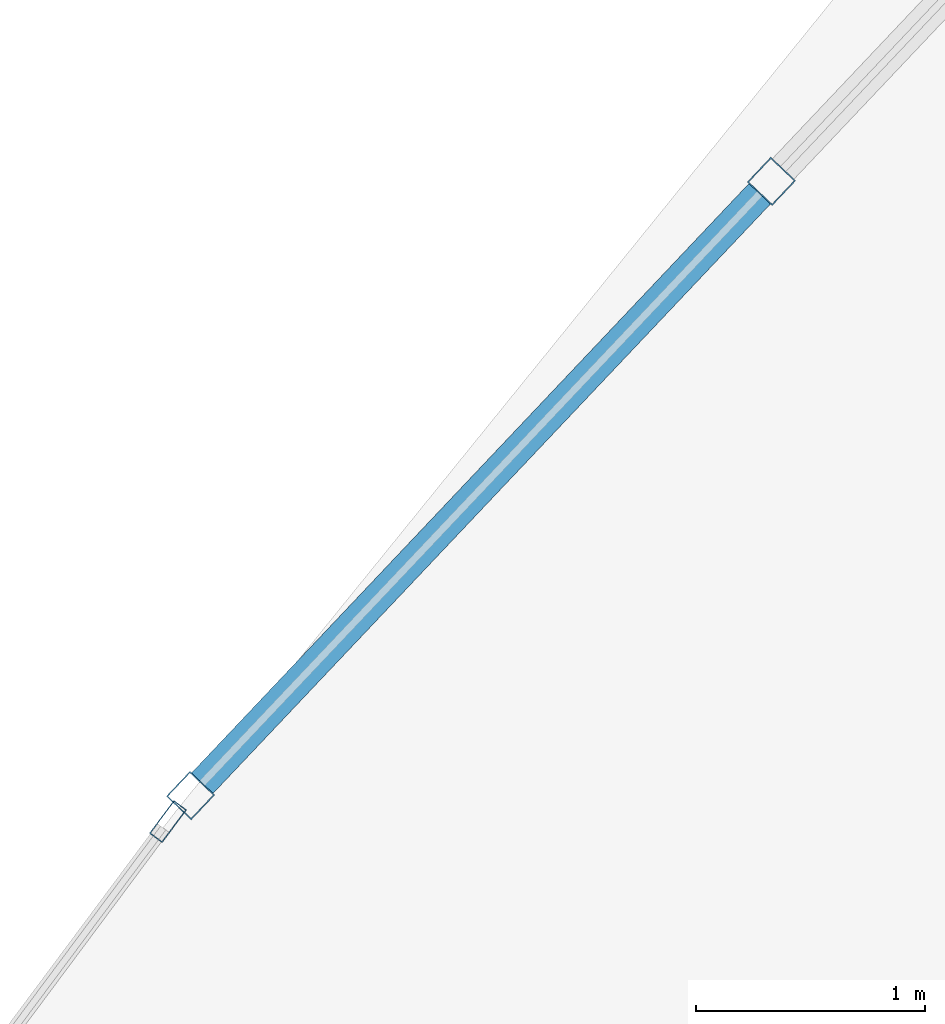
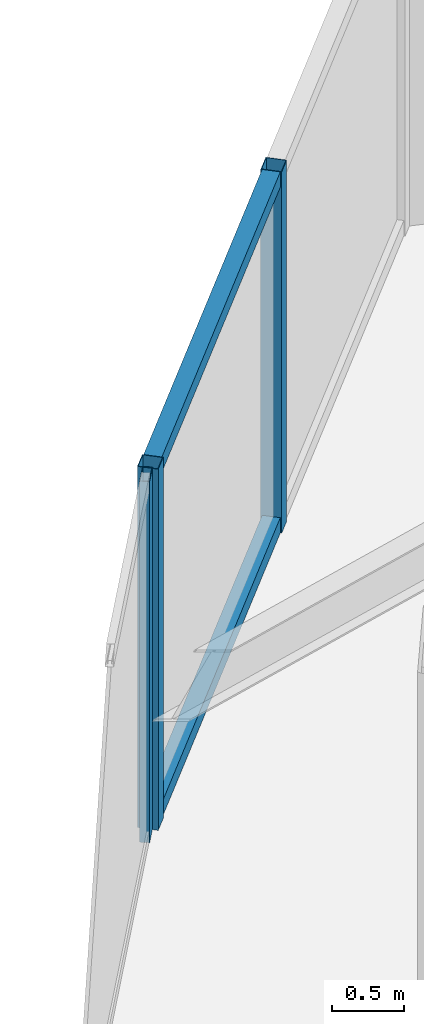
# One storey, part 19 of 31: 5 members, 2 elements without a shape of their own.
"""IFC4 building model written with IfcOpenShell, lengths in metres."""

import ifcopenshell
import ifcopenshell.guid

model = None  # the IFC model being written
_history = None  # IfcOwnerHistory: only IFC2X3 demands one
_inside = {}  # id of a spatial element -> (the spatial element, [elements in it])
_under = {}  # id of a project, library or spatial element -> (it, [spatial elements below it])
_declared = {}  # id of a project -> (the project, [libraries it declares])
_typed = {}  # id of a type object -> (the type object, [elements of that type])
_made_of = {}  # id of a material, layer set ... -> (it, [elements and type objects made of it])


def new_model(schema):
    """Start an empty IFC model of exactly this schema.

    Asked for "IFC4X3", IfcOpenShell would pick the latest addendum, in which some entities
    have other attributes; the version numbers below select the first issue.
    IFC2X3 requires an IfcOwnerHistory on every rooted entity: one is made here for all.
    """
    global model, _history
    if schema == "IFC4X3":
        model = ifcopenshell.file(schema_version=(4, 3, 0, 0))
    else:
        model = ifcopenshell.file(schema=schema)
    _inside.clear()
    _under.clear()
    _declared.clear()
    _typed.clear()
    _made_of.clear()
    _history = None
    if model.schema == "IFC2X3":
        org = make("IfcOrganization", Name="unknown")
        user = make(
            "IfcPersonAndOrganization",
            ThePerson=make("IfcPerson", FamilyName="unknown"),
            TheOrganization=org,
        )
        app = make(
            "IfcApplication",
            ApplicationDeveloper=org,
            Version="unknown",
            ApplicationFullName="unknown",
            ApplicationIdentifier="unknown",
        )
        _history = make(
            "IfcOwnerHistory",
            OwningUser=user,
            OwningApplication=app,
            ChangeAction="ADDED",
            CreationDate=0,
        )
    return model


def make(cls, **values):
    """One entity of the class cls with the attributes given. An attribute that is None is left unset."""
    return model.create_entity(
        cls, **{name: value for name, value in values.items() if value is not None}
    )


def rooted(cls, **values):
    """An entity with a GlobalId (a new one), such as an element, a storey or a relation."""
    return make(cls, GlobalId=ifcopenshell.guid.new(), OwnerHistory=_history, **values)


def si_unit(unit_type, name, prefix=None):
    """IfcSIUnit, for example si_unit("LENGTHUNIT", "METRE", prefix="MILLI")."""
    return make("IfcSIUnit", UnitType=unit_type, Prefix=prefix, Name=name)


def assignment(units):
    """IfcUnitAssignment: the units of a project."""
    return None if units is None else make("IfcUnitAssignment", Units=units)


def point(xyz):
    """IfcCartesianPoint."""
    return None if xyz is None else make("IfcCartesianPoint", Coordinates=xyz)


def direction(xyz):
    """IfcDirection."""
    return None if xyz is None else make("IfcDirection", DirectionRatios=xyz)


def frame(location, z_axis=None, x_axis=None):
    """IfcAxis2Placement3D, a coordinate frame: its origin and axes. An axis left out is left unset."""
    return make(
        "IfcAxis2Placement3D",
        Location=point(location),
        Axis=direction(z_axis),
        RefDirection=direction(x_axis),
    )


def frame_2d(location, x_axis=None):
    """IfcAxis2Placement2D, a coordinate frame in the plane: its origin and x axis."""
    return make(
        "IfcAxis2Placement2D", Location=point(location), RefDirection=direction(x_axis)
    )


def origin():
    """The frame at (0, 0, 0) with its axes left unset."""
    return frame((0.0, 0.0, 0.0))


def origin_2d():
    """The frame at (0, 0) in the plane with its x axis left unset."""
    return frame_2d((0.0, 0.0))


def place(relative_to, where):
    """IfcLocalPlacement: puts the frame where relative to a parent placement (None: the world)."""
    return make(
        "IfcLocalPlacement", PlacementRelTo=relative_to, RelativePlacement=where
    )


def context(
    kind, dimensions, precision=None, world=None, true_north=None, identifier=None
):
    """IfcGeometricRepresentationContext, for example the 3D "Model" context."""
    return make(
        "IfcGeometricRepresentationContext",
        ContextIdentifier=identifier,
        ContextType=kind,
        CoordinateSpaceDimension=dimensions,
        Precision=precision,
        WorldCoordinateSystem=world,
        TrueNorth=true_north,
    )


def subcontext(parent, identifier, kind, view, scale=None):
    """IfcGeometricRepresentationSubContext, for example "Body" below "Model"."""
    return make(
        "IfcGeometricRepresentationSubContext",
        ContextIdentifier=identifier,
        ContextType=kind,
        ParentContext=parent,
        TargetScale=scale,
        TargetView=view,
    )


def project(units=None, contexts=None):
    """IfcProject with its units and contexts."""
    return rooted(
        "IfcProject",
        Name="project",
        RepresentationContexts=contexts,
        UnitsInContext=assignment(units),
    )


def spatial(cls, under=None, at=None, **own):
    """A site, building, storey or space (cls), placed at a placement, below another one or the project."""
    s = rooted(cls, ObjectPlacement=at, **own)
    if under is not None:
        _under.setdefault(under.id(), (under, []))[1].append(s)
    return s


def profile(cls, at=None, kind="AREA", **sizes):
    """A parametric profile (cls). Its sizes go by their IFC names, for example OverallWidth=200.0."""
    return make(cls, ProfileType=kind, Position=at, **sizes)


def hollow_rectangle(**sizes):
    """IfcRectangleHollowProfileDef."""
    return profile("IfcRectangleHollowProfileDef", **sizes)


def extrude(swept, where, along, depth):
    """IfcExtrudedAreaSolid: the profile swept, set in the frame where, extruded along a direction by depth."""
    return make(
        "IfcExtrudedAreaSolid",
        SweptArea=swept,
        Position=where,
        ExtrudedDirection=direction(along),
        Depth=depth,
    )


def shape(context_of_items, identifier, shape_type, items):
    """IfcShapeRepresentation: the items that make up one representation, for example the "Body"."""
    return make(
        "IfcShapeRepresentation",
        ContextOfItems=context_of_items,
        RepresentationIdentifier=identifier,
        RepresentationType=shape_type,
        Items=items,
    )


def material(Name=None, Category=None):
    """IfcMaterial."""
    return make("IfcMaterial", Name=Name, Category=Category)


def layer(
    of_material, thickness, ventilated=None, Name=None, Category=None, Priority=None
):
    """IfcMaterialLayer: one layer of a wall or slab, of a material (None: an air gap)."""
    return make(
        "IfcMaterialLayer",
        Material=of_material,
        LayerThickness=thickness,
        IsVentilated=ventilated,
        Name=Name,
        Category=Category,
        Priority=Priority,
    )


def layer_set(layers, Name=None):
    """IfcMaterialLayerSet."""
    return make("IfcMaterialLayerSet", MaterialLayers=layers, LayerSetName=Name)


def material_profile(
    of_material, cross_section, Name=None, Category=None, Priority=None
):
    """IfcMaterialProfile: a cross section and its material."""
    return make(
        "IfcMaterialProfile",
        Name=Name,
        Material=of_material,
        Profile=cross_section,
        Priority=Priority,
        Category=Category,
    )


def profile_set(profiles, Name=None, composite=None):
    """IfcMaterialProfileSet."""
    return make(
        "IfcMaterialProfileSet",
        Name=Name,
        MaterialProfiles=profiles,
        CompositeProfile=composite,
    )


def made_of(thing, what):
    """Note that an element or type object is made of a material, layer set ...; save() writes the relation."""
    if what is not None:
        _made_of.setdefault(what.id(), (what, []))[1].append(thing)
    return thing


def type_object(cls, material=None, **own):
    """A type object (cls), such as IfcWallType, which elements share."""
    return made_of(rooted(cls, **own), material)


def element(
    cls,
    number,
    at=None,
    inside=None,
    cuts=None,
    type_object=None,
    material=None,
    context=None,
    identifier="Body",
    shape_type=None,
    held_by="IfcProductDefinitionShape",
    body=None,
    shapes=None,
    **own,
):
    """One element of the class cls, such as IfcWall. Its Tag is "e" and its number.

    at: its placement. inside: the storey or other place that contains it. cuts: it is an
    opening in that element (IfcRelVoidsElement). A single representation is given by context,
    identifier, shape_type and body (its items); several are given by shapes. held_by: the class
    of the entity that holds the representations. save() writes the other relations.
    """
    e = rooted(cls, Tag="e%d" % number, ObjectPlacement=at, **own)
    if body is not None:
        shapes = [shape(context, identifier, shape_type, body)]
    if shapes is not None:
        e.Representation = make(held_by, Representations=shapes)
    if inside is not None:
        _inside.setdefault(inside.id(), (inside, []))[1].append(e)
    if cuts is not None:
        rooted(
            "IfcRelVoidsElement", RelatingBuildingElement=cuts, RelatedOpeningElement=e
        )
    if type_object is not None:
        _typed.setdefault(type_object.id(), (type_object, []))[1].append(e)
    return made_of(e, material)


def aggregate(whole, parts):
    """IfcRelAggregates: a whole, such as a stair, and the parts it consists of."""
    return rooted("IfcRelAggregates", RelatingObject=whole, RelatedObjects=parts)


def save(model, path):
    """Write the relations noted so far, then the file.

    IfcRelAggregates (storeys below a building ...), IfcRelContainedInSpatialStructure (elements
    in a storey), IfcRelDefinesByType, IfcRelAssociatesMaterial and IfcRelDeclares: one each for
    every whole, place, type object, material and project.
    """
    for whole, parts in _under.values():
        aggregate(whole, parts)
    for where, things in _inside.values():
        rooted(
            "IfcRelContainedInSpatialStructure",
            RelatedElements=things,
            RelatingStructure=where,
        )
    for kind, things in _typed.values():
        rooted("IfcRelDefinesByType", RelatedObjects=things, RelatingType=kind)
    for what, things in _made_of.values():
        rooted("IfcRelAssociatesMaterial", RelatedObjects=things, RelatingMaterial=what)
    for by, libraries in _declared.values():
        rooted("IfcRelDeclares", RelatingContext=by, RelatedDefinitions=libraries)
    model.write(path)


model = new_model("IFC4")

# Units and contexts
model_context = context("Model", 3, precision=1e-05, world=origin(), true_north=direction((0.0, 1.0)))
body_context = subcontext(model_context, "Body", "Model", "MODEL_VIEW")
ifc_project = project(units=[si_unit("LENGTHUNIT", "METRE"), si_unit("AREAUNIT", "SQUARE_METRE"), si_unit("VOLUMEUNIT", "CUBIC_METRE"), si_unit("PLANEANGLEUNIT", "RADIAN"), si_unit("MASSUNIT", "GRAM", prefix="KILO")], contexts=[model_context])

# Site, building, storey
site_placement = place(None, origin())
site = spatial("IfcSite", under=ifc_project, at=site_placement, CompositionType="ELEMENT")
building_placement = place(site_placement, origin())
building = spatial("IfcBuilding", under=site, at=building_placement, Name="Orvanel Arch Residences", CompositionType="ELEMENT")
storey_placement = place(building_placement, frame((0.0, 0.0, 106.699951171875)))
storey = spatial("IfcBuildingStorey", under=building, at=storey_placement, Name="L29", CompositionType="ELEMENT", Elevation=106.699951171875)

# Curtain wall, members
ifc_material = material(Name="Bronze-anodised aluminium AA6063-T6", Category="aluminium")
ifc_layer_1 = layer(ifc_material, 0.18994140625)
ifc_layer_set_1 = layer_set([ifc_layer_1], Name="Bronze-anodised aluminium AA6063-T6")
curtain_wall_type_1 = type_object("IfcCurtainWallType", Name="CW5-CRN-SYS", PredefinedType="NOTDEFINED", material=ifc_layer_set_1)
curtain_wall_1_placement = place(storey_placement, origin())
curtain_wall_1 = element("IfcCurtainWall", 1, at=curtain_wall_1_placement, inside=storey, type_object=curtain_wall_type_1, Name="L29 CW5-CRN-SYS Unitised Curtain Wall", PredefinedType="NOTDEFINED")
ifc_material_profile_1 = material_profile(ifc_material, hollow_rectangle(XDim=0.14990234375, YDim=0.14990234375, WallThickness=0.0048828125, at=origin_2d()), Name="ALU150x150x5")
ifc_profile_set_1 = profile_set([ifc_material_profile_1], Name="Bronze-anodised aluminium AA6063-T6")
member_type_1 = type_object("IfcMemberType", Name="MUL-150x150", PredefinedType="MULLION", material=ifc_profile_set_1)
member_1_placement = place(storey_placement, frame((29.638916015625, 46.780517578125, 0.0), z_axis=(0.0, 0.0, 1.0), x_axis=(0.7265167041, -0.687148803873, 0.0)))
member_1 = element("IfcMember", 2, at=member_1_placement, type_object=member_type_1, Name="CW-S5 mullion 2", PredefinedType="MULLION", context=body_context, shape_type="SweptSolid", body=[
    extrude(hollow_rectangle(XDim=0.14990234375, YDim=0.14990234375, WallThickness=0.0048828125, at=origin_2d()), origin(), (0.0, 0.0, 1.0), 3.06005859375),
])
member_2_placement = place(storey_placement, frame((27.0986328125, 44.094482421875, 0.0), z_axis=(0.0, 0.0, 1.0), x_axis=(0.7265167041, -0.687148803873, 0.0)))
member_2 = element("IfcMember", 3, at=member_2_placement, type_object=member_type_1, Name="CW-S5 mullion 3", PredefinedType="MULLION", context=body_context, shape_type="SweptSolid", body=[
    extrude(hollow_rectangle(XDim=0.14990234375, YDim=0.14990234375, WallThickness=0.0048828125, at=origin_2d()), origin(), (0.0, 0.0, 1.0), 3.06005859375),
])

# Curtain wall, member
ifc_layer_2 = layer(ifc_material, 0.179931640625)
ifc_layer_set_2 = layer_set([ifc_layer_2], Name="Bronze-anodised aluminium AA6063-T6")
curtain_wall_type_2 = type_object("IfcCurtainWallType", Name="CW3-MID-SYS", PredefinedType="NOTDEFINED", material=ifc_layer_set_2)
curtain_wall_2_placement = place(storey_placement, origin())
curtain_wall_2 = element("IfcCurtainWall", 4, at=curtain_wall_2_placement, inside=storey, type_object=curtain_wall_type_2, Name="L29 CW3-MID-SYS Unitised Curtain Wall", PredefinedType="NOTDEFINED")
ifc_material_profile_2 = material_profile(ifc_material, hollow_rectangle(XDim=0.070068359375, YDim=0.179931640625, WallThickness=0.00439453125, at=origin_2d()), Name="ALU180x70x4.5")
ifc_profile_set_2 = profile_set([ifc_material_profile_2], Name="Bronze-anodised aluminium AA6063-T6")
member_type_2 = type_object("IfcMemberType", Name="MUL-180x70", PredefinedType="MULLION", material=ifc_profile_set_2)
member_3_placement = place(storey_placement, frame((27.0, 43.98095703125, 0.0), z_axis=(0.0, 0.0, 1.0), x_axis=(0.802267592094, -0.596964580755, 0.0)))
member_3 = element("IfcMember", 5, at=member_3_placement, type_object=member_type_2, Name="CW-S3 mullion 1", PredefinedType="MULLION", context=body_context, shape_type="SweptSolid", body=[
    extrude(hollow_rectangle(XDim=0.070068359375, YDim=0.179931640625, WallThickness=0.00439453125, at=origin_2d()), origin(), (0.0, 0.0, 1.0), 3.06005859375),
])
aggregate(curtain_wall_2, [member_3])

# Member
ifc_material_profile_3 = material_profile(ifc_material, hollow_rectangle(XDim=0.1298828125, YDim=0.1298828125, WallThickness=0.00439453125, at=origin_2d()), Name="ALU130x130x4.5")
ifc_profile_set_3 = profile_set([ifc_material_profile_3], Name="Bronze-anodised aluminium AA6063-T6")
member_type_3 = type_object("IfcMemberType", Name="TRN-130x130", PredefinedType="USERDEFINED", material=ifc_profile_set_3)
member_4_placement = place(storey_placement, frame((29.58740234375, 46.72607421875, 0.06494140625), z_axis=(-0.687112473638, -0.726551063981, 0.0), x_axis=(0.726551063981, -0.687112473638, 0.0)))
member_4 = element("IfcMember", 6, at=member_4_placement, type_object=member_type_3, Name="CW-S5 transom 2.1", ObjectType="TRANSOM", PredefinedType="USERDEFINED", context=body_context, shape_type="SweptSolid", body=[
    extrude(hollow_rectangle(XDim=0.1298828125, YDim=0.1298828125, WallThickness=0.00439453125, at=origin_2d()), origin(), (0.0, 0.0, 1.0), 3.547119140625),
])

member_5_placement = place(storey_placement, frame((29.58740234375, 46.72607421875, 2.9951171875), z_axis=(-0.687112473638, -0.726551063981, 0.0), x_axis=(0.726551063981, -0.687112473638, 0.0)))
member_5 = element("IfcMember", 7, at=member_5_placement, type_object=member_type_3, Name="CW-S5 transom 2.2", ObjectType="TRANSOM", PredefinedType="USERDEFINED", context=body_context, shape_type="SweptSolid", body=[
    extrude(hollow_rectangle(XDim=0.1298828125, YDim=0.1298828125, WallThickness=0.00439453125, at=origin_2d()), origin(), (0.0, 0.0, 1.0), 3.547119140625),
])

aggregate(curtain_wall_1, [member_1, member_2, member_4, member_5])

save(model, "model.ifc")
